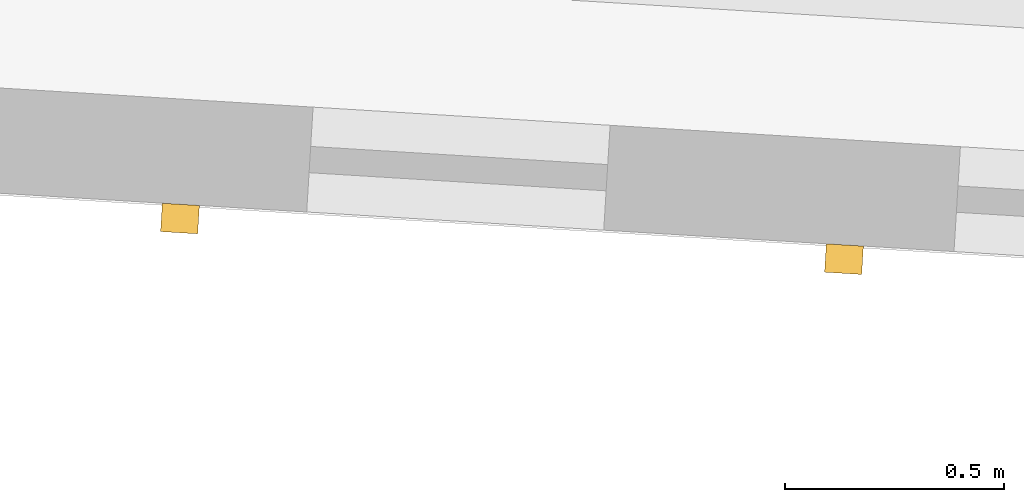
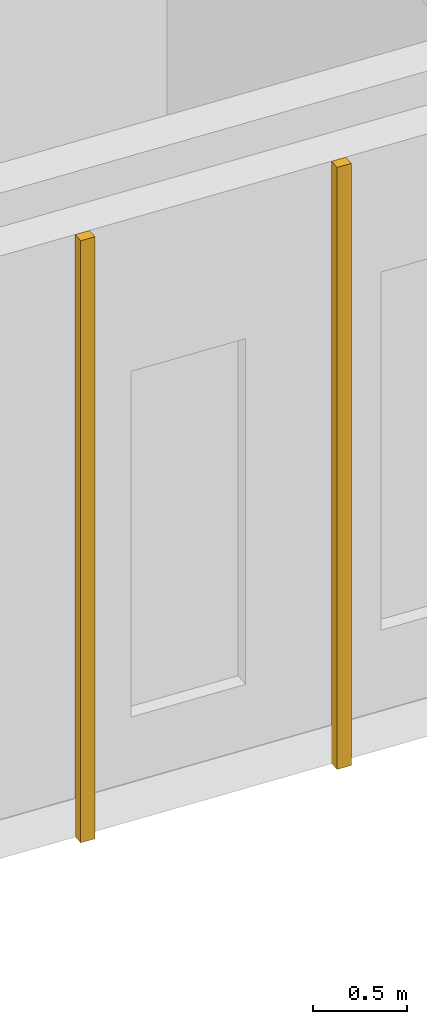
# One storey, part 116 of 150: 2 coverings.
"""IFC4 building model written with IfcOpenShell, lengths in metres."""

import ifcopenshell
import ifcopenshell.guid

model = None  # the IFC model being written
_history = None  # IfcOwnerHistory: only IFC2X3 demands one
_inside = {}  # id of a spatial element -> (the spatial element, [elements in it])
_under = {}  # id of a project, library or spatial element -> (it, [spatial elements below it])
_declared = {}  # id of a project -> (the project, [libraries it declares])
_typed = {}  # id of a type object -> (the type object, [elements of that type])
_made_of = {}  # id of a material, layer set ... -> (it, [elements and type objects made of it])


def new_model(schema):
    """Start an empty IFC model of exactly this schema.

    Asked for "IFC4X3", IfcOpenShell would pick the latest addendum, in which some entities
    have other attributes; the version numbers below select the first issue.
    IFC2X3 requires an IfcOwnerHistory on every rooted entity: one is made here for all.
    """
    global model, _history
    if schema == "IFC4X3":
        model = ifcopenshell.file(schema_version=(4, 3, 0, 0))
    else:
        model = ifcopenshell.file(schema=schema)
    _inside.clear()
    _under.clear()
    _declared.clear()
    _typed.clear()
    _made_of.clear()
    _history = None
    if model.schema == "IFC2X3":
        org = make("IfcOrganization", Name="unknown")
        user = make(
            "IfcPersonAndOrganization",
            ThePerson=make("IfcPerson", FamilyName="unknown"),
            TheOrganization=org,
        )
        app = make(
            "IfcApplication",
            ApplicationDeveloper=org,
            Version="unknown",
            ApplicationFullName="unknown",
            ApplicationIdentifier="unknown",
        )
        _history = make(
            "IfcOwnerHistory",
            OwningUser=user,
            OwningApplication=app,
            ChangeAction="ADDED",
            CreationDate=0,
        )
    return model


def make(cls, **values):
    """One entity of the class cls with the attributes given. An attribute that is None is left unset."""
    return model.create_entity(
        cls, **{name: value for name, value in values.items() if value is not None}
    )


def rooted(cls, **values):
    """An entity with a GlobalId (a new one), such as an element, a storey or a relation."""
    return make(cls, GlobalId=ifcopenshell.guid.new(), OwnerHistory=_history, **values)


def si_unit(unit_type, name, prefix=None):
    """IfcSIUnit, for example si_unit("LENGTHUNIT", "METRE", prefix="MILLI")."""
    return make("IfcSIUnit", UnitType=unit_type, Prefix=prefix, Name=name)


def assignment(units):
    """IfcUnitAssignment: the units of a project."""
    return None if units is None else make("IfcUnitAssignment", Units=units)


def point(xyz):
    """IfcCartesianPoint."""
    return None if xyz is None else make("IfcCartesianPoint", Coordinates=xyz)


def direction(xyz):
    """IfcDirection."""
    return None if xyz is None else make("IfcDirection", DirectionRatios=xyz)


def frame(location, z_axis=None, x_axis=None):
    """IfcAxis2Placement3D, a coordinate frame: its origin and axes. An axis left out is left unset."""
    return make(
        "IfcAxis2Placement3D",
        Location=point(location),
        Axis=direction(z_axis),
        RefDirection=direction(x_axis),
    )


def frame_2d(location, x_axis=None):
    """IfcAxis2Placement2D, a coordinate frame in the plane: its origin and x axis."""
    return make(
        "IfcAxis2Placement2D", Location=point(location), RefDirection=direction(x_axis)
    )


def origin():
    """The frame at (0, 0, 0) with its axes left unset."""
    return frame((0.0, 0.0, 0.0))


def origin_2d():
    """The frame at (0, 0) in the plane with its x axis left unset."""
    return frame_2d((0.0, 0.0))


def place(relative_to, where):
    """IfcLocalPlacement: puts the frame where relative to a parent placement (None: the world)."""
    return make(
        "IfcLocalPlacement", PlacementRelTo=relative_to, RelativePlacement=where
    )


def context(
    kind, dimensions, precision=None, world=None, true_north=None, identifier=None
):
    """IfcGeometricRepresentationContext, for example the 3D "Model" context."""
    return make(
        "IfcGeometricRepresentationContext",
        ContextIdentifier=identifier,
        ContextType=kind,
        CoordinateSpaceDimension=dimensions,
        Precision=precision,
        WorldCoordinateSystem=world,
        TrueNorth=true_north,
    )


def subcontext(parent, identifier, kind, view, scale=None):
    """IfcGeometricRepresentationSubContext, for example "Body" below "Model"."""
    return make(
        "IfcGeometricRepresentationSubContext",
        ContextIdentifier=identifier,
        ContextType=kind,
        ParentContext=parent,
        TargetScale=scale,
        TargetView=view,
    )


def project(units=None, contexts=None):
    """IfcProject with its units and contexts."""
    return rooted(
        "IfcProject",
        Name="project",
        RepresentationContexts=contexts,
        UnitsInContext=assignment(units),
    )


def spatial(cls, under=None, at=None, **own):
    """A site, building, storey or space (cls), placed at a placement, below another one or the project."""
    s = rooted(cls, ObjectPlacement=at, **own)
    if under is not None:
        _under.setdefault(under.id(), (under, []))[1].append(s)
    return s


def profile(cls, at=None, kind="AREA", **sizes):
    """A parametric profile (cls). Its sizes go by their IFC names, for example OverallWidth=200.0."""
    return make(cls, ProfileType=kind, Position=at, **sizes)


def rectangle(**sizes):
    """IfcRectangleProfileDef."""
    return profile("IfcRectangleProfileDef", **sizes)


def extrude(swept, where, along, depth):
    """IfcExtrudedAreaSolid: the profile swept, set in the frame where, extruded along a direction by depth."""
    return make(
        "IfcExtrudedAreaSolid",
        SweptArea=swept,
        Position=where,
        ExtrudedDirection=direction(along),
        Depth=depth,
    )


def shape(context_of_items, identifier, shape_type, items):
    """IfcShapeRepresentation: the items that make up one representation, for example the "Body"."""
    return make(
        "IfcShapeRepresentation",
        ContextOfItems=context_of_items,
        RepresentationIdentifier=identifier,
        RepresentationType=shape_type,
        Items=items,
    )


def material(Name=None, Category=None):
    """IfcMaterial."""
    return make("IfcMaterial", Name=Name, Category=Category)


def layer(
    of_material, thickness, ventilated=None, Name=None, Category=None, Priority=None
):
    """IfcMaterialLayer: one layer of a wall or slab, of a material (None: an air gap)."""
    return make(
        "IfcMaterialLayer",
        Material=of_material,
        LayerThickness=thickness,
        IsVentilated=ventilated,
        Name=Name,
        Category=Category,
        Priority=Priority,
    )


def layer_set(layers, Name=None):
    """IfcMaterialLayerSet."""
    return make("IfcMaterialLayerSet", MaterialLayers=layers, LayerSetName=Name)


def made_of(thing, what):
    """Note that an element or type object is made of a material, layer set ...; save() writes the relation."""
    if what is not None:
        _made_of.setdefault(what.id(), (what, []))[1].append(thing)
    return thing


def type_object(cls, material=None, **own):
    """A type object (cls), such as IfcWallType, which elements share."""
    return made_of(rooted(cls, **own), material)


def element(
    cls,
    number,
    at=None,
    inside=None,
    cuts=None,
    type_object=None,
    material=None,
    context=None,
    identifier="Body",
    shape_type=None,
    held_by="IfcProductDefinitionShape",
    body=None,
    shapes=None,
    **own,
):
    """One element of the class cls, such as IfcWall. Its Tag is "e" and its number.

    at: its placement. inside: the storey or other place that contains it. cuts: it is an
    opening in that element (IfcRelVoidsElement). A single representation is given by context,
    identifier, shape_type and body (its items); several are given by shapes. held_by: the class
    of the entity that holds the representations. save() writes the other relations.
    """
    e = rooted(cls, Tag="e%d" % number, ObjectPlacement=at, **own)
    if body is not None:
        shapes = [shape(context, identifier, shape_type, body)]
    if shapes is not None:
        e.Representation = make(held_by, Representations=shapes)
    if inside is not None:
        _inside.setdefault(inside.id(), (inside, []))[1].append(e)
    if cuts is not None:
        rooted(
            "IfcRelVoidsElement", RelatingBuildingElement=cuts, RelatedOpeningElement=e
        )
    if type_object is not None:
        _typed.setdefault(type_object.id(), (type_object, []))[1].append(e)
    return made_of(e, material)


def aggregate(whole, parts):
    """IfcRelAggregates: a whole, such as a stair, and the parts it consists of."""
    return rooted("IfcRelAggregates", RelatingObject=whole, RelatedObjects=parts)


def save(model, path):
    """Write the relations noted so far, then the file.

    IfcRelAggregates (storeys below a building ...), IfcRelContainedInSpatialStructure (elements
    in a storey), IfcRelDefinesByType, IfcRelAssociatesMaterial and IfcRelDeclares: one each for
    every whole, place, type object, material and project.
    """
    for whole, parts in _under.values():
        aggregate(whole, parts)
    for where, things in _inside.values():
        rooted(
            "IfcRelContainedInSpatialStructure",
            RelatedElements=things,
            RelatingStructure=where,
        )
    for kind, things in _typed.values():
        rooted("IfcRelDefinesByType", RelatedObjects=things, RelatingType=kind)
    for what, things in _made_of.values():
        rooted("IfcRelAssociatesMaterial", RelatedObjects=things, RelatingMaterial=what)
    for by, libraries in _declared.values():
        rooted("IfcRelDeclares", RelatingContext=by, RelatedDefinitions=libraries)
    model.write(path)


model = new_model("IFC4")

# Units and contexts
model_context = context("Model", 3, precision=1e-05, world=origin(), true_north=direction((0.0, 1.0)))
body_context = subcontext(model_context, "Body", "Model", "MODEL_VIEW")
ifc_project = project(units=[si_unit("LENGTHUNIT", "METRE"), si_unit("AREAUNIT", "SQUARE_METRE"), si_unit("VOLUMEUNIT", "CUBIC_METRE"), si_unit("PLANEANGLEUNIT", "RADIAN"), si_unit("MASSUNIT", "GRAM", prefix="KILO")], contexts=[model_context])

# Site, building, storey
site_placement = place(None, origin())
site = spatial("IfcSite", under=ifc_project, at=site_placement, CompositionType="ELEMENT")
building_placement = place(site_placement, origin())
building = spatial("IfcBuilding", under=site, at=building_placement, Name="Kestramere Prow Commons", CompositionType="ELEMENT")
storey_placement = place(building_placement, frame((0.0, 0.0, 4.5)))
storey = spatial("IfcBuildingStorey", under=building, at=storey_placement, Name="L01", CompositionType="ELEMENT", Elevation=4.5)

# Coverings
ifc_material = material(Name="Weathered Zinc-Titanium Standing-Seam Cladding")
ifc_layer = layer(ifc_material, 0.074951171875)
ifc_layer_set = layer_set([ifc_layer], Name="Weathered Zinc-Titanium Standing-Seam Cladding")
covering_type = type_object("IfcCoveringType", Name="COV-CLAD-SEAM", PredefinedType="CLADDING", material=ifc_layer_set)
for number, where, z_axis, x_axis, name in (
    (1, (95.87060546875, 43.5966796875, -0.25), (0.0, 0.0, 1.0), (-0.998134798422, 0.061048539535, 0.0), "EW-C-L01-S-4 Standing-Seam Rib 1"),
    (2, (94.353515625, 43.689453125, -0.25), (0.0, 0.0, 1.0), (-0.998134798422, 0.061048539535, 0.0), "EW-C-L01-S-4 Standing-Seam Rib 2"),
):
    element("IfcCovering", number, at=place(storey_placement, frame(where, z_axis=z_axis, x_axis=x_axis)), inside=storey, type_object=covering_type, Name=name, PredefinedType="CLADDING", context=body_context, shape_type="SweptSolid", body=[
        extrude(rectangle(XDim=0.0849609375, YDim=0.06494140625, at=origin_2d()), origin(), (0.0, 0.0, 1.0), 3.89990234375),
    ])

save(model, "model.ifc")
